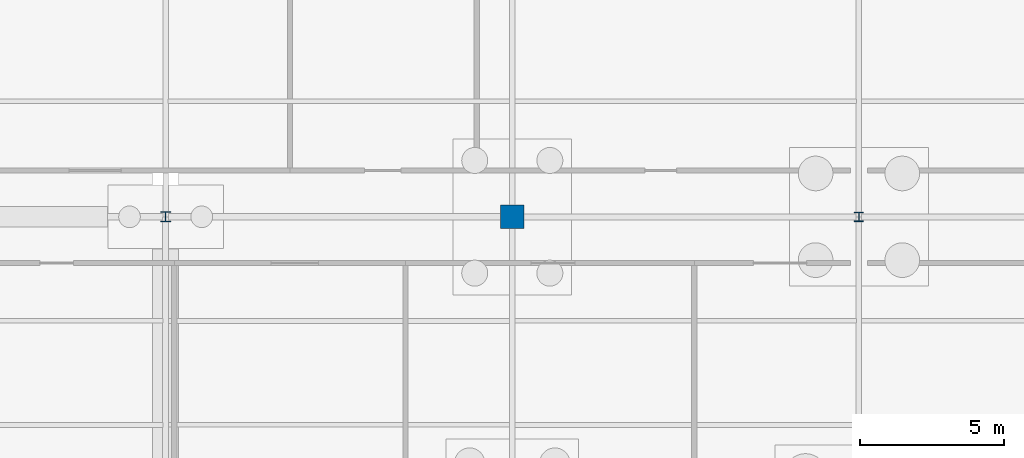
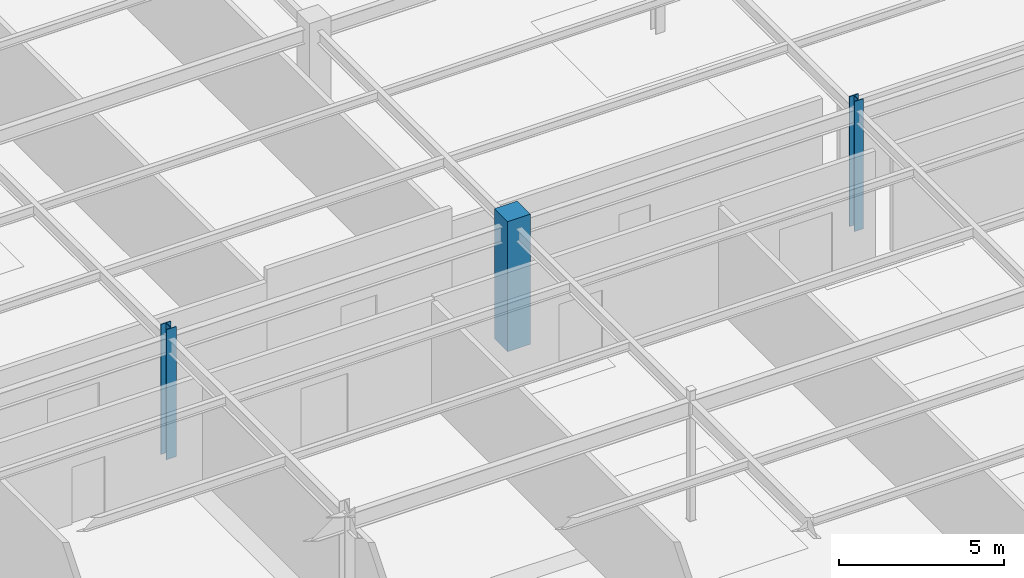
# One storey, part 14 of 136: 3 columns.
"""IFC4 building model written with IfcOpenShell, lengths in metres."""

from ifc_helpers import new_model, si_unit, direction, frame, origin, origin_2d, place, context, subcontext, project, spatial, rectangle, i_section, extrude, material, material_profile, profile_set, type_object, element, save


model = new_model("IFC4")

# Units and contexts
model_context = context("Model", 3, precision=1e-05, world=origin(), true_north=direction((0.0, 1.0)))
body_context = subcontext(model_context, "Body", "Model", "MODEL_VIEW")
ifc_project = project(units=[si_unit("LENGTHUNIT", "METRE"), si_unit("AREAUNIT", "SQUARE_METRE"), si_unit("VOLUMEUNIT", "CUBIC_METRE"), si_unit("PLANEANGLEUNIT", "RADIAN"), si_unit("MASSUNIT", "GRAM", prefix="KILO")], contexts=[model_context])

# Site, building, storey
site_placement = place(None, origin())
site = spatial("IfcSite", under=ifc_project, at=site_placement, CompositionType="ELEMENT")
building_placement = place(site_placement, origin())
building = spatial("IfcBuilding", under=site, at=building_placement, Name="Tarnwether General Hospital", CompositionType="ELEMENT")
storey_placement = place(building_placement, frame((0.0, 0.0, -4.800048828125)))
storey = spatial("IfcBuildingStorey", under=building, at=storey_placement, Name="LG", CompositionType="ELEMENT", Elevation=-4.800048828125)

# Columns
ifc_material_1 = material(Name="Steel Grade 350 (350 MPa)", Category="steel")
ifc_material_profile_1 = material_profile(ifc_material_1, i_section(OverallWidth=0.35009765625, OverallDepth=0.35009765625, WebThickness=0.013916015625, FlangeThickness=0.02392578125, at=origin_2d()), Name="350WC197")
ifc_profile_set_1 = profile_set([ifc_material_profile_1], Name="Steel Grade 350 (350 MPa)")
column_type_1 = type_object("IfcColumnType", Name="COL-04", PredefinedType="COLUMN", material=ifc_profile_set_1)
column_1_placement = place(storey_placement, frame((24.0, 21.60009765625, 0.0), z_axis=(0.0, 0.0, 1.0), x_axis=(1.0, 0.0, 0.0)))
element("IfcColumn", 1, at=column_1_placement, inside=storey, type_object=column_type_1, Name="Column COLG-LG-2400_2160", PredefinedType="COLUMN", context=body_context, shape_type="SweptSolid", body=[
    extrude(i_section(OverallWidth=0.35009765625, OverallDepth=0.35009765625, WebThickness=0.013916015625, FlangeThickness=0.02392578125, at=origin_2d()), origin(), (0.0, 0.0, 1.0), 4.800048828125),
])
ifc_material_2 = material(Name="Steel Grade 350 (350 MPa)", Category="steel")
ifc_material_profile_2 = material_profile(ifc_material_2, i_section(OverallWidth=0.31103515625, OverallDepth=0.326904296875, WebThickness=0.015625, FlangeThickness=0.02490234375, at=origin_2d()), Name="310UC158")
ifc_profile_set_2 = profile_set([ifc_material_profile_2], Name="Steel Grade 350 (350 MPa)")
column_type_2 = type_object("IfcColumnType", Name="COL-05", PredefinedType="COLUMN", material=ifc_profile_set_2)
column_2_placement = place(storey_placement, frame((48.0, 21.60009765625, 0.0), z_axis=(0.0, 0.0, 1.0), x_axis=(1.0, 0.0, 0.0)))
element("IfcColumn", 2, at=column_2_placement, inside=storey, type_object=column_type_2, Name="Column COLG-LG-4800_2160", PredefinedType="COLUMN", context=body_context, shape_type="SweptSolid", body=[
    extrude(i_section(OverallWidth=0.31103515625, OverallDepth=0.326904296875, WebThickness=0.015625, FlangeThickness=0.02490234375, at=origin_2d()), origin(), (0.0, 0.0, 1.0), 4.800048828125),
])
ifc_material_3 = material(Name="Concrete 50 MPa", Category="concrete")
ifc_material_profile_3 = material_profile(ifc_material_3, rectangle(XDim=0.800048828125, YDim=0.800048828125, at=origin_2d()), Name="RC-COL-800x800")
ifc_profile_set_3 = profile_set([ifc_material_profile_3], Name="Concrete 50 MPa")
column_type_3 = type_object("IfcColumnType", Name="COL-16", PredefinedType="COLUMN", material=ifc_profile_set_3)
column_3_placement = place(storey_placement, frame((36.0, 21.60009765625, 0.0), z_axis=(0.0, 0.0, 1.0), x_axis=(0.0, 1.0, 0.0)))
element("IfcColumn", 3, at=column_3_placement, inside=storey, type_object=column_type_3, Name="Column COLG-LG-3600_2160", PredefinedType="COLUMN", context=body_context, shape_type="SweptSolid", body=[
    extrude(rectangle(XDim=0.800048828125, YDim=0.800048828125, at=origin_2d()), origin(), (0.0, 0.0, 1.0), 4.800048828125),
])

save(model, "model.ifc")
